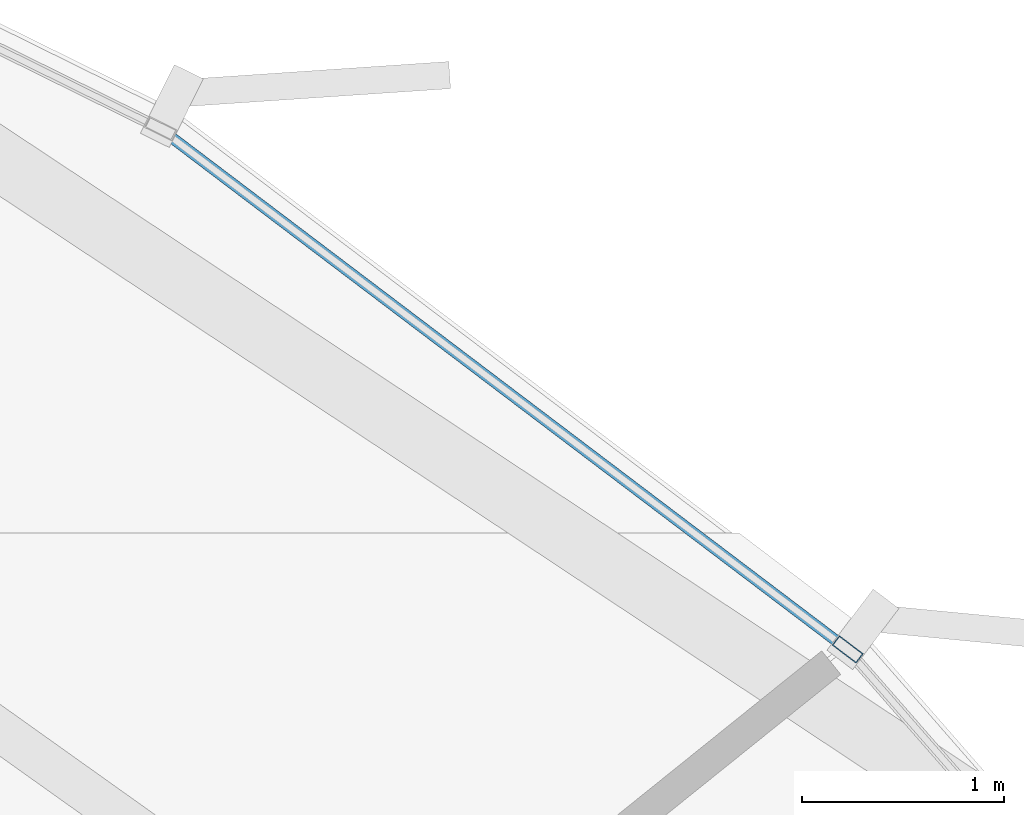
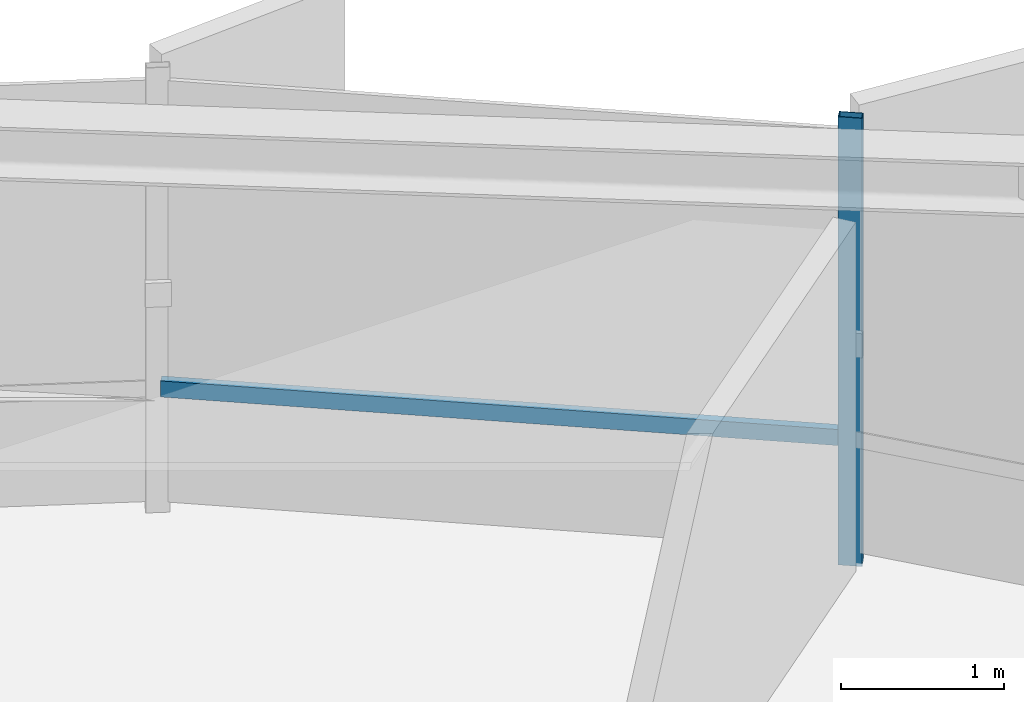
# One storey, part 25 of 34: 2 members, 1 element without a shape of its own.
"""IFC4 building model written with IfcOpenShell, lengths in metres."""

import ifcopenshell
import ifcopenshell.guid

model = None  # the IFC model being written
_history = None  # IfcOwnerHistory: only IFC2X3 demands one
_inside = {}  # id of a spatial element -> (the spatial element, [elements in it])
_under = {}  # id of a project, library or spatial element -> (it, [spatial elements below it])
_declared = {}  # id of a project -> (the project, [libraries it declares])
_typed = {}  # id of a type object -> (the type object, [elements of that type])
_made_of = {}  # id of a material, layer set ... -> (it, [elements and type objects made of it])


def new_model(schema):
    """Start an empty IFC model of exactly this schema.

    Asked for "IFC4X3", IfcOpenShell would pick the latest addendum, in which some entities
    have other attributes; the version numbers below select the first issue.
    IFC2X3 requires an IfcOwnerHistory on every rooted entity: one is made here for all.
    """
    global model, _history
    if schema == "IFC4X3":
        model = ifcopenshell.file(schema_version=(4, 3, 0, 0))
    else:
        model = ifcopenshell.file(schema=schema)
    _inside.clear()
    _under.clear()
    _declared.clear()
    _typed.clear()
    _made_of.clear()
    _history = None
    if model.schema == "IFC2X3":
        org = make("IfcOrganization", Name="unknown")
        user = make(
            "IfcPersonAndOrganization",
            ThePerson=make("IfcPerson", FamilyName="unknown"),
            TheOrganization=org,
        )
        app = make(
            "IfcApplication",
            ApplicationDeveloper=org,
            Version="unknown",
            ApplicationFullName="unknown",
            ApplicationIdentifier="unknown",
        )
        _history = make(
            "IfcOwnerHistory",
            OwningUser=user,
            OwningApplication=app,
            ChangeAction="ADDED",
            CreationDate=0,
        )
    return model


def make(cls, **values):
    """One entity of the class cls with the attributes given. An attribute that is None is left unset."""
    return model.create_entity(
        cls, **{name: value for name, value in values.items() if value is not None}
    )


def rooted(cls, **values):
    """An entity with a GlobalId (a new one), such as an element, a storey or a relation."""
    return make(cls, GlobalId=ifcopenshell.guid.new(), OwnerHistory=_history, **values)


def si_unit(unit_type, name, prefix=None):
    """IfcSIUnit, for example si_unit("LENGTHUNIT", "METRE", prefix="MILLI")."""
    return make("IfcSIUnit", UnitType=unit_type, Prefix=prefix, Name=name)


def assignment(units):
    """IfcUnitAssignment: the units of a project."""
    return None if units is None else make("IfcUnitAssignment", Units=units)


def point(xyz):
    """IfcCartesianPoint."""
    return None if xyz is None else make("IfcCartesianPoint", Coordinates=xyz)


def direction(xyz):
    """IfcDirection."""
    return None if xyz is None else make("IfcDirection", DirectionRatios=xyz)


def frame(location, z_axis=None, x_axis=None):
    """IfcAxis2Placement3D, a coordinate frame: its origin and axes. An axis left out is left unset."""
    return make(
        "IfcAxis2Placement3D",
        Location=point(location),
        Axis=direction(z_axis),
        RefDirection=direction(x_axis),
    )


def frame_2d(location, x_axis=None):
    """IfcAxis2Placement2D, a coordinate frame in the plane: its origin and x axis."""
    return make(
        "IfcAxis2Placement2D", Location=point(location), RefDirection=direction(x_axis)
    )


def origin():
    """The frame at (0, 0, 0) with its axes left unset."""
    return frame((0.0, 0.0, 0.0))


def origin_2d():
    """The frame at (0, 0) in the plane with its x axis left unset."""
    return frame_2d((0.0, 0.0))


def place(relative_to, where):
    """IfcLocalPlacement: puts the frame where relative to a parent placement (None: the world)."""
    return make(
        "IfcLocalPlacement", PlacementRelTo=relative_to, RelativePlacement=where
    )


def context(
    kind, dimensions, precision=None, world=None, true_north=None, identifier=None
):
    """IfcGeometricRepresentationContext, for example the 3D "Model" context."""
    return make(
        "IfcGeometricRepresentationContext",
        ContextIdentifier=identifier,
        ContextType=kind,
        CoordinateSpaceDimension=dimensions,
        Precision=precision,
        WorldCoordinateSystem=world,
        TrueNorth=true_north,
    )


def subcontext(parent, identifier, kind, view, scale=None):
    """IfcGeometricRepresentationSubContext, for example "Body" below "Model"."""
    return make(
        "IfcGeometricRepresentationSubContext",
        ContextIdentifier=identifier,
        ContextType=kind,
        ParentContext=parent,
        TargetScale=scale,
        TargetView=view,
    )


def project(units=None, contexts=None):
    """IfcProject with its units and contexts."""
    return rooted(
        "IfcProject",
        Name="project",
        RepresentationContexts=contexts,
        UnitsInContext=assignment(units),
    )


def spatial(cls, under=None, at=None, **own):
    """A site, building, storey or space (cls), placed at a placement, below another one or the project."""
    s = rooted(cls, ObjectPlacement=at, **own)
    if under is not None:
        _under.setdefault(under.id(), (under, []))[1].append(s)
    return s


def profile(cls, at=None, kind="AREA", **sizes):
    """A parametric profile (cls). Its sizes go by their IFC names, for example OverallWidth=200.0."""
    return make(cls, ProfileType=kind, Position=at, **sizes)


def hollow_rectangle(**sizes):
    """IfcRectangleHollowProfileDef."""
    return profile("IfcRectangleHollowProfileDef", **sizes)


def extrude(swept, where, along, depth):
    """IfcExtrudedAreaSolid: the profile swept, set in the frame where, extruded along a direction by depth."""
    return make(
        "IfcExtrudedAreaSolid",
        SweptArea=swept,
        Position=where,
        ExtrudedDirection=direction(along),
        Depth=depth,
    )


def shape(context_of_items, identifier, shape_type, items):
    """IfcShapeRepresentation: the items that make up one representation, for example the "Body"."""
    return make(
        "IfcShapeRepresentation",
        ContextOfItems=context_of_items,
        RepresentationIdentifier=identifier,
        RepresentationType=shape_type,
        Items=items,
    )


def source(mapping_origin, context_of_items, identifier, shape_type, items):
    """IfcRepresentationMap: a shape defined once, which mapped items show again and again."""
    return make(
        "IfcRepresentationMap",
        MappingOrigin=mapping_origin,
        MappedRepresentation=shape(context_of_items, identifier, shape_type, items),
    )


def transform(
    local_origin,
    x_axis=None,
    y_axis=None,
    z_axis=None,
    scale=None,
    scale2=None,
    scale3=None,
    uniform=True,
):
    """IfcCartesianTransformationOperator3D, or its non-uniform kind. x_axis, y_axis, z_axis: its Axis1, 2, 3."""
    if uniform:
        return make(
            "IfcCartesianTransformationOperator3D",
            Axis1=direction(x_axis),
            Axis2=direction(y_axis),
            LocalOrigin=point(local_origin),
            Scale=scale,
            Axis3=direction(z_axis),
        )
    return make(
        "IfcCartesianTransformationOperator3DnonUniform",
        Axis1=direction(x_axis),
        Axis2=direction(y_axis),
        LocalOrigin=point(local_origin),
        Scale=scale,
        Axis3=direction(z_axis),
        Scale2=scale2,
        Scale3=scale3,
    )


def mapped(mapping_source, mapping_target):
    """IfcMappedItem: shows the shape of a source again, moved by a transform."""
    return make(
        "IfcMappedItem", MappingSource=mapping_source, MappingTarget=mapping_target
    )


def material(Name=None, Category=None):
    """IfcMaterial."""
    return make("IfcMaterial", Name=Name, Category=Category)


def layer(
    of_material, thickness, ventilated=None, Name=None, Category=None, Priority=None
):
    """IfcMaterialLayer: one layer of a wall or slab, of a material (None: an air gap)."""
    return make(
        "IfcMaterialLayer",
        Material=of_material,
        LayerThickness=thickness,
        IsVentilated=ventilated,
        Name=Name,
        Category=Category,
        Priority=Priority,
    )


def layer_set(layers, Name=None):
    """IfcMaterialLayerSet."""
    return make("IfcMaterialLayerSet", MaterialLayers=layers, LayerSetName=Name)


def material_profile(
    of_material, cross_section, Name=None, Category=None, Priority=None
):
    """IfcMaterialProfile: a cross section and its material."""
    return make(
        "IfcMaterialProfile",
        Name=Name,
        Material=of_material,
        Profile=cross_section,
        Priority=Priority,
        Category=Category,
    )


def profile_set(profiles, Name=None, composite=None):
    """IfcMaterialProfileSet."""
    return make(
        "IfcMaterialProfileSet",
        Name=Name,
        MaterialProfiles=profiles,
        CompositeProfile=composite,
    )


def made_of(thing, what):
    """Note that an element or type object is made of a material, layer set ...; save() writes the relation."""
    if what is not None:
        _made_of.setdefault(what.id(), (what, []))[1].append(thing)
    return thing


def type_object(cls, material=None, **own):
    """A type object (cls), such as IfcWallType, which elements share."""
    return made_of(rooted(cls, **own), material)


def element(
    cls,
    number,
    at=None,
    inside=None,
    cuts=None,
    type_object=None,
    material=None,
    context=None,
    identifier="Body",
    shape_type=None,
    held_by="IfcProductDefinitionShape",
    body=None,
    shapes=None,
    **own,
):
    """One element of the class cls, such as IfcWall. Its Tag is "e" and its number.

    at: its placement. inside: the storey or other place that contains it. cuts: it is an
    opening in that element (IfcRelVoidsElement). A single representation is given by context,
    identifier, shape_type and body (its items); several are given by shapes. held_by: the class
    of the entity that holds the representations. save() writes the other relations.
    """
    e = rooted(cls, Tag="e%d" % number, ObjectPlacement=at, **own)
    if body is not None:
        shapes = [shape(context, identifier, shape_type, body)]
    if shapes is not None:
        e.Representation = make(held_by, Representations=shapes)
    if inside is not None:
        _inside.setdefault(inside.id(), (inside, []))[1].append(e)
    if cuts is not None:
        rooted(
            "IfcRelVoidsElement", RelatingBuildingElement=cuts, RelatedOpeningElement=e
        )
    if type_object is not None:
        _typed.setdefault(type_object.id(), (type_object, []))[1].append(e)
    return made_of(e, material)


def aggregate(whole, parts):
    """IfcRelAggregates: a whole, such as a stair, and the parts it consists of."""
    return rooted("IfcRelAggregates", RelatingObject=whole, RelatedObjects=parts)


def save(model, path):
    """Write the relations noted so far, then the file.

    IfcRelAggregates (storeys below a building ...), IfcRelContainedInSpatialStructure (elements
    in a storey), IfcRelDefinesByType, IfcRelAssociatesMaterial and IfcRelDeclares: one each for
    every whole, place, type object, material and project.
    """
    for whole, parts in _under.values():
        aggregate(whole, parts)
    for where, things in _inside.values():
        rooted(
            "IfcRelContainedInSpatialStructure",
            RelatedElements=things,
            RelatingStructure=where,
        )
    for kind, things in _typed.values():
        rooted("IfcRelDefinesByType", RelatedObjects=things, RelatingType=kind)
    for what, things in _made_of.values():
        rooted("IfcRelAssociatesMaterial", RelatedObjects=things, RelatingMaterial=what)
    for by, libraries in _declared.values():
        rooted("IfcRelDeclares", RelatingContext=by, RelatedDefinitions=libraries)
    model.write(path)


model = new_model("IFC4")

# Units and contexts
model_context = context("Model", 3, precision=1e-05, world=origin(), true_north=direction((0.0, 1.0)))
body_context = subcontext(model_context, "Body", "Model", "MODEL_VIEW")
ifc_project = project(units=[si_unit("LENGTHUNIT", "METRE"), si_unit("AREAUNIT", "SQUARE_METRE"), si_unit("VOLUMEUNIT", "CUBIC_METRE"), si_unit("PLANEANGLEUNIT", "RADIAN"), si_unit("MASSUNIT", "GRAM", prefix="KILO"), si_unit("THERMODYNAMICTEMPERATUREUNIT", "KELVIN")], contexts=[model_context])

# Site, building, storey
site_placement = place(None, origin())
site = spatial("IfcSite", under=ifc_project, at=site_placement, CompositionType="ELEMENT")
building_placement = place(site_placement, origin())
building = spatial("IfcBuilding", under=site, at=building_placement, Name="Kethvar Cultural Tower", CompositionType="ELEMENT")
storey_placement = place(building_placement, frame((0.0, 0.0, 125.199951171875)))
storey = spatial("IfcBuildingStorey", under=building, at=storey_placement, Name="L31", CompositionType="ELEMENT", Elevation=125.199951171875)

# Curtain wall, members
ifc_material = material(Name="Aluminium 6063-T6", Category="aluminium")
ifc_layer = layer(ifc_material, 0.179931640625, Name="Aluminium 6063-T6", Category="aluminium")
ifc_layer_set = layer_set([ifc_layer], Name="Aluminium 6063-T6 (180 mm)")
curtain_wall_type = type_object("IfcCurtainWallType", Name="CW-SYS-03-Z2", PredefinedType="NOTDEFINED", material=ifc_layer_set)
curtain_wall_placement = place(storey_placement, origin())
curtain_wall = element("IfcCurtainWall", 1, at=curtain_wall_placement, inside=storey, type_object=curtain_wall_type, Name="L31 Curtain Wall Run 01", PredefinedType="NOTDEFINED")
ifc_material_profile_1 = material_profile(ifc_material, hollow_rectangle(XDim=0.06005859375, YDim=0.14990234375, WallThickness=0.0048828125, at=origin_2d()), Name="Aluminium 6063-T6 — RHS150x60x5")
ifc_profile_set_1 = profile_set([ifc_material_profile_1], Name="Aluminium 6063-T6 — RHS150x60x5")
member_type_1 = type_object("IfcMemberType", Name="CW-SYS-03-Z2-MUL", PredefinedType="MULLION", material=ifc_profile_set_1)
shared_shape_1 = source(origin(), body_context, "Body", "SweptSolid", [
    extrude(hollow_rectangle(XDim=0.06005859375, YDim=0.14990234375, WallThickness=0.0048828125, at=origin_2d()), origin(), (0.0, 0.0, 1.0), 3.35009765625),
])
member_1_placement = place(storey_placement, frame((68.833251953125, 45.55322265625, 0.0), z_axis=(0.0, 0.0, 1.0), x_axis=(-0.603709005406, -0.797204764657, 0.0)))
member_1 = element("IfcMember", 2, at=member_1_placement, type_object=member_type_1, Name="CW-L31-R01 Mullion 3", PredefinedType="MULLION", context=body_context, shape_type="MappedRepresentation", body=[
    mapped(shared_shape_1, transform((0.0, 0.0, 0.0), scale=1.0)),
])
ifc_material_profile_2 = material_profile(ifc_material, hollow_rectangle(XDim=0.054931640625, YDim=0.1201171875, WallThickness=0.00390625, at=origin_2d()), Name="Aluminium 6063-T6 — RHS120x55x4")
ifc_profile_set_2 = profile_set([ifc_material_profile_2], Name="Aluminium 6063-T6 — RHS120x55x4")
member_type_2 = type_object("IfcMemberType", Name="CW-SYS-03-Z2-TRN", PredefinedType="USERDEFINED", material=ifc_profile_set_2)
shared_shape_2 = source(origin(), body_context, "Body", "SweptSolid", [
    extrude(hollow_rectangle(XDim=0.054931640625, YDim=0.1201171875, WallThickness=0.00390625, at=origin_2d()), origin(), (0.0, 0.0, 1.0), 4.211181640625),
])
member_2_placement = place(storey_placement, frame((68.798583984375, 45.579345703125, 0.949951171875), z_axis=(-0.79721559072, 0.603694709197, 0.0), x_axis=(-0.603694709197, -0.79721559072, 0.0)))
member_2 = element("IfcMember", 3, at=member_2_placement, type_object=member_type_2, Name="CW-L31-R01 Transom 3", ObjectType="TRANSOM", PredefinedType="USERDEFINED", context=body_context, shape_type="MappedRepresentation", body=[
    mapped(shared_shape_2, transform((0.0, 0.0, 0.0), scale=1.0)),
])
aggregate(curtain_wall, [member_1, member_2])

save(model, "model.ifc")
